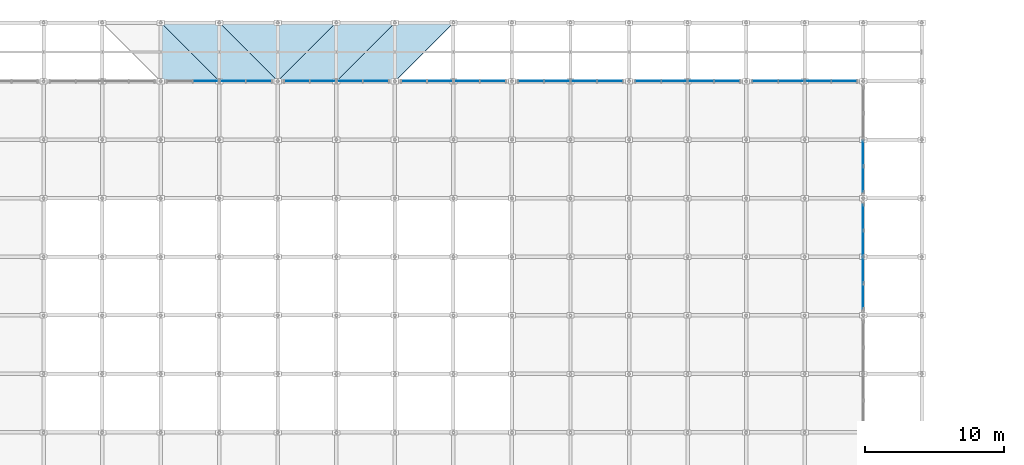
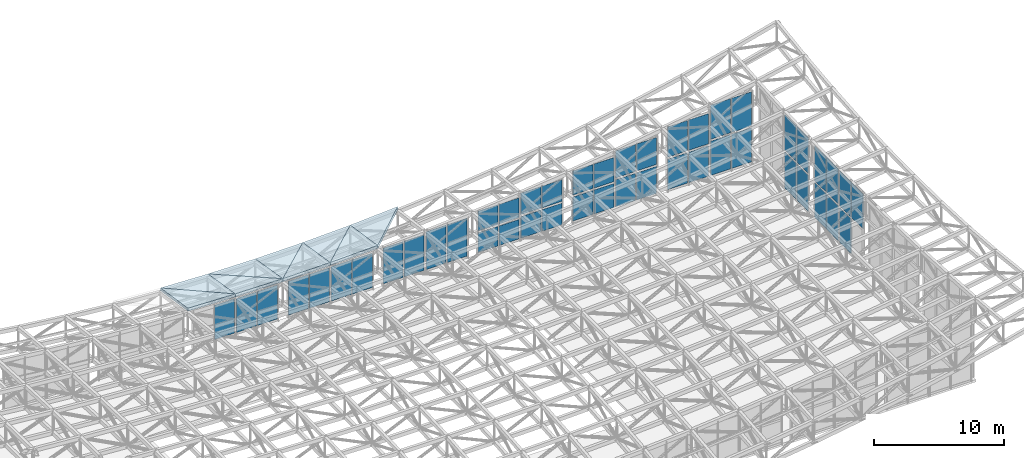
# One storey, part 69 of 111: 46 plates, 9 slabs, 15 elements without a shape of their own.
"""IFC4 building model written with IfcOpenShell, lengths in metres."""

from ifc_helpers import new_model, si_unit, direction, frame, origin, origin_2d, place, context, subcontext, project, spatial, polyline, rectangle, outline, extrude, material, layer, layer_set, type_object, element, aggregate, save


model = new_model("IFC4")

# Units and contexts
model_context = context("Model", 3, precision=1e-05, world=origin(), true_north=direction((0.0, 1.0)))
body_context = subcontext(model_context, "Body", "Model", "MODEL_VIEW")
ifc_project = project(units=[si_unit("LENGTHUNIT", "METRE"), si_unit("AREAUNIT", "SQUARE_METRE"), si_unit("VOLUMEUNIT", "CUBIC_METRE"), si_unit("PLANEANGLEUNIT", "RADIAN"), si_unit("MASSUNIT", "GRAM", prefix="KILO")], contexts=[model_context])

# Site, building, storey
site_placement = place(None, origin())
site = spatial("IfcSite", under=ifc_project, at=site_placement, CompositionType="ELEMENT")
building_placement = place(site_placement, origin())
building = spatial("IfcBuilding", under=site, at=building_placement, Name="Cumbredor Promenade Congress Hotel", CompositionType="ELEMENT")
storey_placement = place(building_placement, frame((0.0, 0.0, 15.1201171875)))
storey = spatial("IfcBuildingStorey", under=building, at=storey_placement, Name="L04", CompositionType="ELEMENT", Elevation=15.1201171875)

# Slabs
ifc_material_1 = material(Name="Concrete C40/50", Category="concrete")
ifc_layer_1 = layer(ifc_material_1, 0.25, Name="Concrete C40/50", Category="concrete")
ifc_layer_set_1 = layer_set([ifc_layer_1], Name="Concrete C40/50")
slab_type = type_object("IfcSlabType", Name="Catenary Space Frame Roof Deck 250mm", PredefinedType="ROOF", material=ifc_layer_set_1)
slab_1_placement = place(storey_placement, frame((126.0, 117.60009765625, 3.9326171875), z_axis=(0.029753049423, 0.150833026609, 0.988111407754), x_axis=(0.999546971061, 0.0, -0.03009738598)))
element("IfcSlab", 1, at=slab_1_placement, inside=storey, type_object=slab_type, Name="Pre-Function and Breakout Meeting Forum Sweeping Roof Deck Facet 10.10.1", PredefinedType="ROOF", context=body_context, shape_type="SweptSolid", body=[
    extrude(outline(polyline([(0.0, 0.0), (4.201854733666896, 0.0), (0.019295833882523407, 4.248557844295416), (0.0, 0.0)])), origin(), (0.0, 0.0, -1.0), 0.25),
])
slab_2_placement = place(storey_placement, frame((130.199951171875, 117.60009765625, 3.80615234375), z_axis=(0.037281756976, 0.158189362676, 0.986704715775), x_axis=(0.0, 0.987391156385, -0.158299413434)))
element("IfcSlab", 2, at=slab_2_placement, inside=storey, type_object=slab_type, Name="Pre-Function and Breakout Meeting Forum Sweeping Roof Deck Facet 10.10.2", PredefinedType="ROOF", context=body_context, shape_type="SweptSolid", body=[
    extrude(outline(polyline([(0.0, 0.0), (4.253583946663738, 0.0), (4.228463190137314, 4.2028730359295094), (0.0, 0.0)])), origin(), (0.0, 0.0, -1.0), 0.25),
])
slab_3_placement = place(storey_placement, frame((130.199951171875, 117.60009765625, 3.80615234375), z_axis=(0.009929096646, 0.158291610113, 0.987342483239), x_axis=(0.99994943839, 0.0, -0.010055877047)))
element("IfcSlab", 3, at=slab_3_placement, inside=storey, type_object=slab_type, Name="Pre-Function and Breakout Meeting Forum Sweeping Roof Deck Facet 11.10.1", PredefinedType="ROOF", context=body_context, shape_type="SweptSolid", body=[
    extrude(outline(polyline([(0.0, 0.0), (4.200163538905083, -1.734723475976807e-18), (0.006771022679672835, 4.253578557469855), (0.0, 0.0)])), origin(), (0.0, 0.0, -1.0), 0.25),
])
slab_4_placement = place(storey_placement, frame((134.39990234375, 117.60009765625, 3.763916015625), z_axis=(0.012449049297, 0.160747631938, 0.98691702792), x_axis=(0.0, 0.986993512432, -0.160760089626)))
element("IfcSlab", 4, at=slab_4_placement, inside=storey, type_object=slab_type, Name="Pre-Function and Breakout Meeting Forum Sweeping Roof Deck Facet 11.10.2", PredefinedType="ROOF", context=body_context, shape_type="SweptSolid", body=[
    extrude(outline(polyline([(0.0, 0.0), (4.255297647828329, -1.734723475976807e-18), (4.246780816908204, 4.200276661464468), (0.0, 0.0)])), origin(), (0.0, 0.0, -1.0), 0.25),
])
slab_5_placement = place(storey_placement, frame((134.39990234375, 117.60009765625, 3.763916015625), z_axis=(-0.009928519564, 0.15829161102, 0.987342488896), x_axis=(0.999949444267, 0.0, 0.010055292598)))
element("IfcSlab", 5, at=slab_5_placement, inside=storey, type_object=slab_type, Name="Pre-Function and Breakout Meeting Forum Sweeping Roof Deck Facet 12.10.1", PredefinedType="ROOF", context=body_context, shape_type="SweptSolid", body=[
    extrude(outline(polyline([(0.0, 0.0), (4.200407667186657, -8.673617379884035e-19), (4.19363703803977, 4.253578558096279), (0.0, 0.0)])), origin(), (0.0, 0.0, -1.0), 0.25),
])
slab_6_placement = place(storey_placement, frame((134.39990234375, 117.60009765625, 3.763916015625), z_axis=(-0.012448325796, 0.160747633386, 0.98691703681), x_axis=(0.703169413025, 0.703128540588, -0.105655250678)))
element("IfcSlab", 6, at=slab_6_placement, inside=storey, type_object=slab_type, Name="Pre-Function and Breakout Meeting Forum Sweeping Roof Deck Facet 12.10.2", PredefinedType="ROOF", context=body_context, shape_type="SweptSolid", body=[
    extrude(outline(polyline([(0.0, 0.0), (5.973233810651932, 1.249000902703301e-16), (3.025382396517911, 2.9924270127194172), (0.0, 0.0)])), origin(), (0.0, 0.0, -1.0), 0.25),
])
slab_7_placement = place(storey_placement, frame((138.60009765625, 117.60009765625, 3.80615234375), z_axis=(-0.029753049423, 0.150833026609, 0.988111407754), x_axis=(0.999546971061, 0.0, 0.03009738598)))
element("IfcSlab", 7, at=slab_7_placement, inside=storey, type_object=slab_type, Name="Pre-Function and Breakout Meeting Forum Sweeping Roof Deck Facet 13.10.1", PredefinedType="ROOF", context=body_context, shape_type="SweptSolid", body=[
    extrude(outline(polyline([(0.0, 0.0), (4.201854733666896, 0.0), (4.182558899784373, 4.248557844295416), (0.0, 0.0)])), origin(), (0.0, 0.0, -1.0), 0.25),
])
slab_8_placement = place(storey_placement, frame((138.60009765625, 117.60009765625, 3.80615234375), z_axis=(-0.037281756976, 0.158189362676, 0.986704715775), x_axis=(0.70446728628, 0.70446728628, -0.086323143607)))
element("IfcSlab", 8, at=slab_8_placement, inside=storey, type_object=slab_type, Name="Pre-Function and Breakout Meeting Forum Sweeping Roof Deck Facet 13.10.2", PredefinedType="ROOF", context=body_context, shape_type="SweptSolid", body=[
    extrude(outline(polyline([(0.0, 0.0), (5.961882480097168, 4.85722573273506e-16), (3.016853016588391, 2.9985953824444187), (0.0, 0.0)])), origin(), (0.0, 0.0, -1.0), 0.25),
])
slab_9_placement = place(storey_placement, frame((142.800048828125, 117.60009765625, 3.9326171875), z_axis=(-0.062113086697, 0.15060846322, 0.986640286663), x_axis=(0.705688897227, 0.705688897227, -0.063295818661)))
element("IfcSlab", 9, at=slab_9_placement, inside=storey, type_object=slab_type, Name="Pre-Function and Breakout Meeting Forum Sweeping Roof Deck Facet 14.10.2", PredefinedType="ROOF", context=body_context, shape_type="SweptSolid", body=[
    extrude(outline(polyline([(0.0, 0.0), (5.951561925341719, 2.42861286636753e-16), (3.0044387008804465, 3.0039913745184332), (0.0, 0.0)])), origin(), (0.0, 0.0, -1.0), 0.25),
])

# Curtain wall, plate
ifc_material_2 = material(Name="Thermally broken anodized aluminium and low-E glass", Category="aluminium")
curtain_wall_type = type_object("IfcCurtainWallType", Name="Stepped Pavilion Clerestory Curtain Wall CW-06", PredefinedType="NOTDEFINED", material=ifc_material_2)
curtain_wall_1_placement = place(storey_placement, origin())
curtain_wall_1 = element("IfcCurtainWall", 10, at=curtain_wall_1_placement, inside=storey, type_object=curtain_wall_type, Name="Pre-Function and Breakout Meeting Forum N Glazed Clerestory 9", PredefinedType="NOTDEFINED")
ifc_material_3 = material(Name="Laminated low-E solar-control glass", Category="glass")
ifc_layer_2 = layer(ifc_material_3, 0.031982421875, Name="Laminated low-E solar-control glass", Category="glass")
ifc_layer_set_2 = layer_set([ifc_layer_2], Name="Laminated low-E solar-control glass")
plate_type = type_object("IfcPlateType", Name="Clerestory Glazed Vision Panel PNL-07", PredefinedType="CURTAIN_PANEL", material=ifc_layer_set_2)
plate_1_placement = place(storey_placement, frame((129.22998046875, 117.60009765625, 0.169921875), z_axis=(0.0, 0.0, 1.0), x_axis=(1.0, 0.0, 0.0)))
plate_1 = element("IfcPlate", 11, at=plate_1_placement, type_object=plate_type, Name="Pre-Function and Breakout Meeting Forum N Glazed Clerestory 9 Glazing Panel 2.1", PredefinedType="CURTAIN_PANEL", context=body_context, shape_type="SweptSolid", body=[
    extrude(rectangle(XDim=1.77490234375, YDim=0.031982421875, at=origin_2d()), origin(), (0.0, 0.0, 1.0), 3.2099609375),
])
aggregate(curtain_wall_1, [plate_1])

# Curtain wall, plates
curtain_wall_2_placement = place(storey_placement, origin())
curtain_wall_2 = element("IfcCurtainWall", 12, at=curtain_wall_2_placement, inside=storey, type_object=curtain_wall_type, Name="Pre-Function and Breakout Meeting Forum N Glazed Clerestory 10", PredefinedType="NOTDEFINED")
plate_2_placement = place(storey_placement, frame((131.169921875, 117.60009765625, 0.169921875), z_axis=(0.0, 0.0, 1.0), x_axis=(1.0, 0.0, 0.0)))
plate_2 = element("IfcPlate", 13, at=plate_2_placement, type_object=plate_type, Name="Pre-Function and Breakout Meeting Forum N Glazed Clerestory 10 Glazing Panel 1.1", PredefinedType="CURTAIN_PANEL", context=body_context, shape_type="SweptSolid", body=[
    extrude(rectangle(XDim=1.77490234375, YDim=0.031982421875, at=origin_2d()), origin(), (0.0, 0.0, 1.0), 3.169921875),
])
plate_3_placement = place(storey_placement, frame((133.030029296875, 117.60009765625, 0.169921875), z_axis=(0.0, 0.0, 1.0), x_axis=(1.0, 0.0, 0.0)))
plate_3 = element("IfcPlate", 14, at=plate_3_placement, type_object=plate_type, Name="Pre-Function and Breakout Meeting Forum N Glazed Clerestory 10 Glazing Panel 2.1", PredefinedType="CURTAIN_PANEL", context=body_context, shape_type="SweptSolid", body=[
    extrude(rectangle(XDim=1.77490234375, YDim=0.031982421875, at=origin_2d()), origin(), (0.0, 0.0, 1.0), 3.169921875),
])
aggregate(curtain_wall_2, [plate_2, plate_3])

curtain_wall_3_placement = place(storey_placement, origin())
curtain_wall_3 = element("IfcCurtainWall", 15, at=curtain_wall_3_placement, inside=storey, type_object=curtain_wall_type, Name="Pre-Function and Breakout Meeting Forum N Glazed Clerestory 11", PredefinedType="NOTDEFINED")
plate_4_placement = place(storey_placement, frame((135.77001953125, 117.60009765625, 0.169921875), z_axis=(0.0, 0.0, 1.0), x_axis=(1.0, 0.0, 0.0)))
plate_4 = element("IfcPlate", 16, at=plate_4_placement, type_object=plate_type, Name="Pre-Function and Breakout Meeting Forum N Glazed Clerestory 11 Glazing Panel 1.1", PredefinedType="CURTAIN_PANEL", context=body_context, shape_type="SweptSolid", body=[
    extrude(rectangle(XDim=1.77490234375, YDim=0.031982421875, at=origin_2d()), origin(), (0.0, 0.0, 1.0), 3.169921875),
])
plate_5_placement = place(storey_placement, frame((137.6298828125, 117.60009765625, 0.169921875), z_axis=(0.0, 0.0, 1.0), x_axis=(1.0, 0.0, 0.0)))
plate_5 = element("IfcPlate", 17, at=plate_5_placement, type_object=plate_type, Name="Pre-Function and Breakout Meeting Forum N Glazed Clerestory 11 Glazing Panel 2.1", PredefinedType="CURTAIN_PANEL", context=body_context, shape_type="SweptSolid", body=[
    extrude(rectangle(XDim=1.77490234375, YDim=0.031982421875, at=origin_2d()), origin(), (0.0, 0.0, 1.0), 3.169921875),
])
aggregate(curtain_wall_3, [plate_4, plate_5])

curtain_wall_4_placement = place(storey_placement, origin())
curtain_wall_4 = element("IfcCurtainWall", 18, at=curtain_wall_4_placement, inside=storey, type_object=curtain_wall_type, Name="Pre-Function and Breakout Meeting Forum N Glazed Clerestory 12", PredefinedType="NOTDEFINED")
plate_6_placement = place(storey_placement, frame((139.570068359375, 117.60009765625, 0.169921875), z_axis=(0.0, 0.0, 1.0), x_axis=(1.0, 0.0, 0.0)))
plate_6 = element("IfcPlate", 19, at=plate_6_placement, type_object=plate_type, Name="Pre-Function and Breakout Meeting Forum N Glazed Clerestory 12 Glazing Panel 1.1", PredefinedType="CURTAIN_PANEL", context=body_context, shape_type="SweptSolid", body=[
    extrude(rectangle(XDim=1.77490234375, YDim=0.031982421875, at=origin_2d()), origin(), (0.0, 0.0, 1.0), 3.2099609375),
])
plate_7_placement = place(storey_placement, frame((141.429931640625, 117.60009765625, 0.169921875), z_axis=(0.0, 0.0, 1.0), x_axis=(1.0, 0.0, 0.0)))
plate_7 = element("IfcPlate", 20, at=plate_7_placement, type_object=plate_type, Name="Pre-Function and Breakout Meeting Forum N Glazed Clerestory 12 Glazing Panel 2.1", PredefinedType="CURTAIN_PANEL", context=body_context, shape_type="SweptSolid", body=[
    extrude(rectangle(XDim=1.77490234375, YDim=0.031982421875, at=origin_2d()), origin(), (0.0, 0.0, 1.0), 3.2099609375),
])
aggregate(curtain_wall_4, [plate_6, plate_7])

curtain_wall_5_placement = place(storey_placement, origin())
curtain_wall_5 = element("IfcCurtainWall", 21, at=curtain_wall_5_placement, inside=storey, type_object=curtain_wall_type, Name="Pre-Function and Breakout Meeting Forum N Glazed Clerestory 13", PredefinedType="NOTDEFINED")
plate_8_placement = place(storey_placement, frame((144.169921875, 117.60009765625, 0.169921875), z_axis=(0.0, 0.0, 1.0), x_axis=(1.0, 0.0, 0.0)))
plate_8 = element("IfcPlate", 22, at=plate_8_placement, type_object=plate_type, Name="Pre-Function and Breakout Meeting Forum N Glazed Clerestory 13 Glazing Panel 1.1", PredefinedType="CURTAIN_PANEL", context=body_context, shape_type="SweptSolid", body=[
    extrude(rectangle(XDim=1.77490234375, YDim=0.031982421875, at=origin_2d()), origin(), (0.0, 0.0, 1.0), 3.340087890625),
])
plate_9_placement = place(storey_placement, frame((146.030029296875, 117.60009765625, 0.169921875), z_axis=(0.0, 0.0, 1.0), x_axis=(1.0, 0.0, 0.0)))
plate_9 = element("IfcPlate", 23, at=plate_9_placement, type_object=plate_type, Name="Pre-Function and Breakout Meeting Forum N Glazed Clerestory 13 Glazing Panel 2.1", PredefinedType="CURTAIN_PANEL", context=body_context, shape_type="SweptSolid", body=[
    extrude(rectangle(XDim=1.77490234375, YDim=0.031982421875, at=origin_2d()), origin(), (0.0, 0.0, 1.0), 3.340087890625),
])
aggregate(curtain_wall_5, [plate_8, plate_9])

curtain_wall_6_placement = place(storey_placement, origin())
curtain_wall_6 = element("IfcCurtainWall", 24, at=curtain_wall_6_placement, inside=storey, type_object=curtain_wall_type, Name="Pre-Function and Breakout Meeting Forum N Glazed Clerestory 14", PredefinedType="NOTDEFINED")
plate_10_placement = place(storey_placement, frame((147.969970703125, 117.60009765625, 0.169921875), z_axis=(0.0, 0.0, 1.0), x_axis=(1.0, 0.0, 0.0)))
plate_10 = element("IfcPlate", 25, at=plate_10_placement, type_object=plate_type, Name="Pre-Function and Breakout Meeting Forum N Glazed Clerestory 14 Glazing Panel 1.1", PredefinedType="CURTAIN_PANEL", context=body_context, shape_type="SweptSolid", body=[
    extrude(rectangle(XDim=1.77490234375, YDim=0.031982421875, at=origin_2d()), origin(), (0.0, 0.0, 1.0), 3.550048828125),
])
plate_11_placement = place(storey_placement, frame((149.830078125, 117.60009765625, 0.169921875), z_axis=(0.0, 0.0, 1.0), x_axis=(1.0, 0.0, 0.0)))
plate_11 = element("IfcPlate", 26, at=plate_11_placement, type_object=plate_type, Name="Pre-Function and Breakout Meeting Forum N Glazed Clerestory 14 Glazing Panel 2.1", PredefinedType="CURTAIN_PANEL", context=body_context, shape_type="SweptSolid", body=[
    extrude(rectangle(XDim=1.77490234375, YDim=0.031982421875, at=origin_2d()), origin(), (0.0, 0.0, 1.0), 3.550048828125),
])
aggregate(curtain_wall_6, [plate_10, plate_11])

curtain_wall_7_placement = place(storey_placement, origin())
curtain_wall_7 = element("IfcCurtainWall", 27, at=curtain_wall_7_placement, inside=storey, type_object=curtain_wall_type, Name="Pre-Function and Breakout Meeting Forum N Glazed Clerestory 15", PredefinedType="NOTDEFINED")
plate_12_placement = place(storey_placement, frame((152.570068359375, 117.60009765625, 0.169921875), z_axis=(0.0, 0.0, 1.0), x_axis=(1.0, 0.0, 0.0)))
plate_12 = element("IfcPlate", 28, at=plate_12_placement, type_object=plate_type, Name="Pre-Function and Breakout Meeting Forum N Glazed Clerestory 15 Glazing Panel 1.1", PredefinedType="CURTAIN_PANEL", context=body_context, shape_type="SweptSolid", body=[
    extrude(rectangle(XDim=1.77490234375, YDim=0.031982421875, at=origin_2d()), origin(), (0.0, 0.0, 1.0), 1.830078125),
])
plate_13_placement = place(storey_placement, frame((152.570068359375, 117.60009765625, 2.1796875), z_axis=(0.0, 0.0, 1.0), x_axis=(1.0, 0.0, 0.0)))
plate_13 = element("IfcPlate", 29, at=plate_13_placement, type_object=plate_type, Name="Pre-Function and Breakout Meeting Forum N Glazed Clerestory 15 Glazing Panel 1.2", PredefinedType="CURTAIN_PANEL", context=body_context, shape_type="SweptSolid", body=[
    extrude(rectangle(XDim=1.77490234375, YDim=0.031982421875, at=origin_2d()), origin(), (0.0, 0.0, 1.0), 1.840087890625),
])
plate_14_placement = place(storey_placement, frame((154.429931640625, 117.60009765625, 0.169921875), z_axis=(0.0, 0.0, 1.0), x_axis=(1.0, 0.0, 0.0)))
plate_14 = element("IfcPlate", 30, at=plate_14_placement, type_object=plate_type, Name="Pre-Function and Breakout Meeting Forum N Glazed Clerestory 15 Glazing Panel 2.1", PredefinedType="CURTAIN_PANEL", context=body_context, shape_type="SweptSolid", body=[
    extrude(rectangle(XDim=1.77490234375, YDim=0.031982421875, at=origin_2d()), origin(), (0.0, 0.0, 1.0), 1.830078125),
])
plate_15_placement = place(storey_placement, frame((154.429931640625, 117.60009765625, 2.1796875), z_axis=(0.0, 0.0, 1.0), x_axis=(1.0, 0.0, 0.0)))
plate_15 = element("IfcPlate", 31, at=plate_15_placement, type_object=plate_type, Name="Pre-Function and Breakout Meeting Forum N Glazed Clerestory 15 Glazing Panel 2.2", PredefinedType="CURTAIN_PANEL", context=body_context, shape_type="SweptSolid", body=[
    extrude(rectangle(XDim=1.77490234375, YDim=0.031982421875, at=origin_2d()), origin(), (0.0, 0.0, 1.0), 1.840087890625),
])
aggregate(curtain_wall_7, [plate_12, plate_13, plate_14, plate_15])

curtain_wall_8_placement = place(storey_placement, origin())
curtain_wall_8 = element("IfcCurtainWall", 32, at=curtain_wall_8_placement, inside=storey, type_object=curtain_wall_type, Name="Pre-Function and Breakout Meeting Forum N Glazed Clerestory 16", PredefinedType="NOTDEFINED")
plate_16_placement = place(storey_placement, frame((156.3701171875, 117.60009765625, 0.169921875), z_axis=(0.0, 0.0, 1.0), x_axis=(1.0, 0.0, 0.0)))
plate_16 = element("IfcPlate", 33, at=plate_16_placement, type_object=plate_type, Name="Pre-Function and Breakout Meeting Forum N Glazed Clerestory 16 Glazing Panel 1.1", PredefinedType="CURTAIN_PANEL", context=body_context, shape_type="SweptSolid", body=[
    extrude(rectangle(XDim=1.77490234375, YDim=0.031982421875, at=origin_2d()), origin(), (0.0, 0.0, 1.0), 2.02001953125),
])
plate_17_placement = place(storey_placement, frame((156.3701171875, 117.60009765625, 2.369873046875), z_axis=(0.0, 0.0, 1.0), x_axis=(1.0, 0.0, 0.0)))
plate_17 = element("IfcPlate", 34, at=plate_17_placement, type_object=plate_type, Name="Pre-Function and Breakout Meeting Forum N Glazed Clerestory 16 Glazing Panel 1.2", PredefinedType="CURTAIN_PANEL", context=body_context, shape_type="SweptSolid", body=[
    extrude(rectangle(XDim=1.77490234375, YDim=0.031982421875, at=origin_2d()), origin(), (0.0, 0.0, 1.0), 2.02001953125),
])
plate_18_placement = place(storey_placement, frame((158.22998046875, 117.60009765625, 0.169921875), z_axis=(0.0, 0.0, 1.0), x_axis=(1.0, 0.0, 0.0)))
plate_18 = element("IfcPlate", 35, at=plate_18_placement, type_object=plate_type, Name="Pre-Function and Breakout Meeting Forum N Glazed Clerestory 16 Glazing Panel 2.1", PredefinedType="CURTAIN_PANEL", context=body_context, shape_type="SweptSolid", body=[
    extrude(rectangle(XDim=1.77490234375, YDim=0.031982421875, at=origin_2d()), origin(), (0.0, 0.0, 1.0), 2.02001953125),
])
plate_19_placement = place(storey_placement, frame((158.22998046875, 117.60009765625, 2.369873046875), z_axis=(0.0, 0.0, 1.0), x_axis=(1.0, 0.0, 0.0)))
plate_19 = element("IfcPlate", 36, at=plate_19_placement, type_object=plate_type, Name="Pre-Function and Breakout Meeting Forum N Glazed Clerestory 16 Glazing Panel 2.2", PredefinedType="CURTAIN_PANEL", context=body_context, shape_type="SweptSolid", body=[
    extrude(rectangle(XDim=1.77490234375, YDim=0.031982421875, at=origin_2d()), origin(), (0.0, 0.0, 1.0), 2.02001953125),
])
aggregate(curtain_wall_8, [plate_16, plate_17, plate_18, plate_19])

curtain_wall_9_placement = place(storey_placement, origin())
curtain_wall_9 = element("IfcCurtainWall", 37, at=curtain_wall_9_placement, inside=storey, type_object=curtain_wall_type, Name="Pre-Function and Breakout Meeting Forum N Glazed Clerestory 17", PredefinedType="NOTDEFINED")
plate_20_placement = place(storey_placement, frame((160.969970703125, 117.60009765625, 0.169921875), z_axis=(0.0, 0.0, 1.0), x_axis=(1.0, 0.0, 0.0)))
plate_20 = element("IfcPlate", 38, at=plate_20_placement, type_object=plate_type, Name="Pre-Function and Breakout Meeting Forum N Glazed Clerestory 17 Glazing Panel 1.1", PredefinedType="CURTAIN_PANEL", context=body_context, shape_type="SweptSolid", body=[
    extrude(rectangle(XDim=1.77490234375, YDim=0.031982421875, at=origin_2d()), origin(), (0.0, 0.0, 1.0), 2.25),
])
plate_21_placement = place(storey_placement, frame((160.969970703125, 117.60009765625, 2.60009765625), z_axis=(0.0, 0.0, 1.0), x_axis=(1.0, 0.0, 0.0)))
plate_21 = element("IfcPlate", 39, at=plate_21_placement, type_object=plate_type, Name="Pre-Function and Breakout Meeting Forum N Glazed Clerestory 17 Glazing Panel 1.2", PredefinedType="CURTAIN_PANEL", context=body_context, shape_type="SweptSolid", body=[
    extrude(rectangle(XDim=1.77490234375, YDim=0.031982421875, at=origin_2d()), origin(), (0.0, 0.0, 1.0), 2.260009765625),
])
plate_22_placement = place(storey_placement, frame((162.830078125, 117.60009765625, 0.169921875), z_axis=(0.0, 0.0, 1.0), x_axis=(1.0, 0.0, 0.0)))
plate_22 = element("IfcPlate", 40, at=plate_22_placement, type_object=plate_type, Name="Pre-Function and Breakout Meeting Forum N Glazed Clerestory 17 Glazing Panel 2.1", PredefinedType="CURTAIN_PANEL", context=body_context, shape_type="SweptSolid", body=[
    extrude(rectangle(XDim=1.77490234375, YDim=0.031982421875, at=origin_2d()), origin(), (0.0, 0.0, 1.0), 2.25),
])
plate_23_placement = place(storey_placement, frame((162.830078125, 117.60009765625, 2.60009765625), z_axis=(0.0, 0.0, 1.0), x_axis=(1.0, 0.0, 0.0)))
plate_23 = element("IfcPlate", 41, at=plate_23_placement, type_object=plate_type, Name="Pre-Function and Breakout Meeting Forum N Glazed Clerestory 17 Glazing Panel 2.2", PredefinedType="CURTAIN_PANEL", context=body_context, shape_type="SweptSolid", body=[
    extrude(rectangle(XDim=1.77490234375, YDim=0.031982421875, at=origin_2d()), origin(), (0.0, 0.0, 1.0), 2.260009765625),
])
aggregate(curtain_wall_9, [plate_20, plate_21, plate_22, plate_23])

curtain_wall_10_placement = place(storey_placement, origin())
curtain_wall_10 = element("IfcCurtainWall", 42, at=curtain_wall_10_placement, inside=storey, type_object=curtain_wall_type, Name="Pre-Function and Breakout Meeting Forum N Glazed Clerestory 18", PredefinedType="NOTDEFINED")
plate_24_placement = place(storey_placement, frame((164.77001953125, 117.60009765625, 0.169921875), z_axis=(0.0, 0.0, 1.0), x_axis=(1.0, 0.0, 0.0)))
plate_24 = element("IfcPlate", 43, at=plate_24_placement, type_object=plate_type, Name="Pre-Function and Breakout Meeting Forum N Glazed Clerestory 18 Glazing Panel 1.1", PredefinedType="CURTAIN_PANEL", context=body_context, shape_type="SweptSolid", body=[
    extrude(rectangle(XDim=1.77490234375, YDim=0.031982421875, at=origin_2d()), origin(), (0.0, 0.0, 1.0), 2.530029296875),
])
plate_25_placement = place(storey_placement, frame((164.77001953125, 117.60009765625, 2.8798828125), z_axis=(0.0, 0.0, 1.0), x_axis=(1.0, 0.0, 0.0)))
plate_25 = element("IfcPlate", 44, at=plate_25_placement, type_object=plate_type, Name="Pre-Function and Breakout Meeting Forum N Glazed Clerestory 18 Glazing Panel 1.2", PredefinedType="CURTAIN_PANEL", context=body_context, shape_type="SweptSolid", body=[
    extrude(rectangle(XDim=1.77490234375, YDim=0.031982421875, at=origin_2d()), origin(), (0.0, 0.0, 1.0), 2.530029296875),
])
plate_26_placement = place(storey_placement, frame((166.6298828125, 117.60009765625, 0.169921875), z_axis=(0.0, 0.0, 1.0), x_axis=(1.0, 0.0, 0.0)))
plate_26 = element("IfcPlate", 45, at=plate_26_placement, type_object=plate_type, Name="Pre-Function and Breakout Meeting Forum N Glazed Clerestory 18 Glazing Panel 2.1", PredefinedType="CURTAIN_PANEL", context=body_context, shape_type="SweptSolid", body=[
    extrude(rectangle(XDim=1.77490234375, YDim=0.031982421875, at=origin_2d()), origin(), (0.0, 0.0, 1.0), 2.530029296875),
])
plate_27_placement = place(storey_placement, frame((166.6298828125, 117.60009765625, 2.8798828125), z_axis=(0.0, 0.0, 1.0), x_axis=(1.0, 0.0, 0.0)))
plate_27 = element("IfcPlate", 46, at=plate_27_placement, type_object=plate_type, Name="Pre-Function and Breakout Meeting Forum N Glazed Clerestory 18 Glazing Panel 2.2", PredefinedType="CURTAIN_PANEL", context=body_context, shape_type="SweptSolid", body=[
    extrude(rectangle(XDim=1.77490234375, YDim=0.031982421875, at=origin_2d()), origin(), (0.0, 0.0, 1.0), 2.530029296875),
])
aggregate(curtain_wall_10, [plate_24, plate_25, plate_26, plate_27])

curtain_wall_11_placement = place(storey_placement, origin())
curtain_wall_11 = element("IfcCurtainWall", 47, at=curtain_wall_11_placement, inside=storey, type_object=curtain_wall_type, Name="Pre-Function and Breakout Meeting Forum N Glazed Clerestory 19", PredefinedType="NOTDEFINED")
plate_28_placement = place(storey_placement, frame((169.3701171875, 117.60009765625, 0.169921875), z_axis=(0.0, 0.0, 1.0), x_axis=(1.0, 0.0, 0.0)))
plate_28 = element("IfcPlate", 48, at=plate_28_placement, type_object=plate_type, Name="Pre-Function and Breakout Meeting Forum N Glazed Clerestory 19 Glazing Panel 1.1", PredefinedType="CURTAIN_PANEL", context=body_context, shape_type="SweptSolid", body=[
    extrude(rectangle(XDim=1.77490234375, YDim=0.031982421875, at=origin_2d()), origin(), (0.0, 0.0, 1.0), 2.85009765625),
])
plate_29_placement = place(storey_placement, frame((169.3701171875, 117.60009765625, 3.19970703125), z_axis=(0.0, 0.0, 1.0), x_axis=(1.0, 0.0, 0.0)))
plate_29 = element("IfcPlate", 49, at=plate_29_placement, type_object=plate_type, Name="Pre-Function and Breakout Meeting Forum N Glazed Clerestory 19 Glazing Panel 1.2", PredefinedType="CURTAIN_PANEL", context=body_context, shape_type="SweptSolid", body=[
    extrude(rectangle(XDim=1.77490234375, YDim=0.031982421875, at=origin_2d()), origin(), (0.0, 0.0, 1.0), 2.840087890625),
])
plate_30_placement = place(storey_placement, frame((171.22998046875, 117.60009765625, 0.169921875), z_axis=(0.0, 0.0, 1.0), x_axis=(1.0, 0.0, 0.0)))
plate_30 = element("IfcPlate", 50, at=plate_30_placement, type_object=plate_type, Name="Pre-Function and Breakout Meeting Forum N Glazed Clerestory 19 Glazing Panel 2.1", PredefinedType="CURTAIN_PANEL", context=body_context, shape_type="SweptSolid", body=[
    extrude(rectangle(XDim=1.77490234375, YDim=0.031982421875, at=origin_2d()), origin(), (0.0, 0.0, 1.0), 2.85009765625),
])
plate_31_placement = place(storey_placement, frame((171.22998046875, 117.60009765625, 3.19970703125), z_axis=(0.0, 0.0, 1.0), x_axis=(1.0, 0.0, 0.0)))
plate_31 = element("IfcPlate", 51, at=plate_31_placement, type_object=plate_type, Name="Pre-Function and Breakout Meeting Forum N Glazed Clerestory 19 Glazing Panel 2.2", PredefinedType="CURTAIN_PANEL", context=body_context, shape_type="SweptSolid", body=[
    extrude(rectangle(XDim=1.77490234375, YDim=0.031982421875, at=origin_2d()), origin(), (0.0, 0.0, 1.0), 2.840087890625),
])
aggregate(curtain_wall_11, [plate_28, plate_29, plate_30, plate_31])

curtain_wall_12_placement = place(storey_placement, origin())
curtain_wall_12 = element("IfcCurtainWall", 52, at=curtain_wall_12_placement, inside=storey, type_object=curtain_wall_type, Name="Pre-Function and Breakout Meeting Forum N Glazed Clerestory 20", PredefinedType="NOTDEFINED")
plate_32_placement = place(storey_placement, frame((173.169921875, 117.60009765625, 0.169921875), z_axis=(0.0, 0.0, 1.0), x_axis=(1.0, 0.0, 0.0)))
plate_32 = element("IfcPlate", 53, at=plate_32_placement, type_object=plate_type, Name="Pre-Function and Breakout Meeting Forum N Glazed Clerestory 20 Glazing Panel 1.1", PredefinedType="CURTAIN_PANEL", context=body_context, shape_type="SweptSolid", body=[
    extrude(rectangle(XDim=1.77490234375, YDim=0.031982421875, at=origin_2d()), origin(), (0.0, 0.0, 1.0), 3.199951171875),
])
plate_33_placement = place(storey_placement, frame((173.169921875, 117.60009765625, 3.5498046875), z_axis=(0.0, 0.0, 1.0), x_axis=(1.0, 0.0, 0.0)))
plate_33 = element("IfcPlate", 54, at=plate_33_placement, type_object=plate_type, Name="Pre-Function and Breakout Meeting Forum N Glazed Clerestory 20 Glazing Panel 1.2", PredefinedType="CURTAIN_PANEL", context=body_context, shape_type="SweptSolid", body=[
    extrude(rectangle(XDim=1.77490234375, YDim=0.031982421875, at=origin_2d()), origin(), (0.0, 0.0, 1.0), 3.199951171875),
])
plate_34_placement = place(storey_placement, frame((175.030029296875, 117.60009765625, 0.169921875), z_axis=(0.0, 0.0, 1.0), x_axis=(1.0, 0.0, 0.0)))
plate_34 = element("IfcPlate", 55, at=plate_34_placement, type_object=plate_type, Name="Pre-Function and Breakout Meeting Forum N Glazed Clerestory 20 Glazing Panel 2.1", PredefinedType="CURTAIN_PANEL", context=body_context, shape_type="SweptSolid", body=[
    extrude(rectangle(XDim=1.77490234375, YDim=0.031982421875, at=origin_2d()), origin(), (0.0, 0.0, 1.0), 3.199951171875),
])
plate_35_placement = place(storey_placement, frame((175.030029296875, 117.60009765625, 3.5498046875), z_axis=(0.0, 0.0, 1.0), x_axis=(1.0, 0.0, 0.0)))
plate_35 = element("IfcPlate", 56, at=plate_35_placement, type_object=plate_type, Name="Pre-Function and Breakout Meeting Forum N Glazed Clerestory 20 Glazing Panel 2.2", PredefinedType="CURTAIN_PANEL", context=body_context, shape_type="SweptSolid", body=[
    extrude(rectangle(XDim=1.77490234375, YDim=0.031982421875, at=origin_2d()), origin(), (0.0, 0.0, 1.0), 3.199951171875),
])
aggregate(curtain_wall_12, [plate_32, plate_33, plate_34, plate_35])

curtain_wall_13_placement = place(storey_placement, origin())
curtain_wall_13 = element("IfcCurtainWall", 57, at=curtain_wall_13_placement, inside=storey, type_object=curtain_wall_type, Name="Pre-Function and Breakout Meeting Forum E Glazed Clerestory 5", PredefinedType="NOTDEFINED")
plate_36_placement = place(storey_placement, frame((176.39990234375, 102.169921875, 3.60986328125), z_axis=(0.0, 0.0, 1.0), x_axis=(0.0, 1.0, 0.0)))
plate_36 = element("IfcPlate", 58, at=plate_36_placement, type_object=plate_type, Name="Pre-Function and Breakout Meeting Forum E Glazed Clerestory 5 Glazing Panel 1.2", PredefinedType="CURTAIN_PANEL", context=body_context, shape_type="SweptSolid", body=[
    extrude(rectangle(XDim=1.77490234375, YDim=0.031982421875, at=origin_2d()), origin(), (0.0, 0.0, 1.0), 3.260009765625),
])
plate_37_placement = place(storey_placement, frame((176.39990234375, 104.030029296875, 0.169921875), z_axis=(0.0, 0.0, 1.0), x_axis=(0.0, 1.0, 0.0)))
plate_37 = element("IfcPlate", 59, at=plate_37_placement, type_object=plate_type, Name="Pre-Function and Breakout Meeting Forum E Glazed Clerestory 5 Glazing Panel 2.1", PredefinedType="CURTAIN_PANEL", context=body_context, shape_type="SweptSolid", body=[
    extrude(rectangle(XDim=1.77490234375, YDim=0.031982421875, at=origin_2d()), origin(), (0.0, 0.0, 1.0), 3.260009765625),
])
plate_38_placement = place(storey_placement, frame((176.39990234375, 104.030029296875, 3.60986328125), z_axis=(0.0, 0.0, 1.0), x_axis=(0.0, 1.0, 0.0)))
plate_38 = element("IfcPlate", 60, at=plate_38_placement, type_object=plate_type, Name="Pre-Function and Breakout Meeting Forum E Glazed Clerestory 5 Glazing Panel 2.2", PredefinedType="CURTAIN_PANEL", context=body_context, shape_type="SweptSolid", body=[
    extrude(rectangle(XDim=1.77490234375, YDim=0.031982421875, at=origin_2d()), origin(), (0.0, 0.0, 1.0), 3.260009765625),
])
aggregate(curtain_wall_13, [plate_36, plate_37, plate_38])

curtain_wall_14_placement = place(storey_placement, origin())
curtain_wall_14 = element("IfcCurtainWall", 61, at=curtain_wall_14_placement, inside=storey, type_object=curtain_wall_type, Name="Pre-Function and Breakout Meeting Forum E Glazed Clerestory 6", PredefinedType="NOTDEFINED")
plate_39_placement = place(storey_placement, frame((176.39990234375, 105.969970703125, 0.169921875), z_axis=(0.0, 0.0, 1.0), x_axis=(0.0, 1.0, 0.0)))
plate_39 = element("IfcPlate", 62, at=plate_39_placement, type_object=plate_type, Name="Pre-Function and Breakout Meeting Forum E Glazed Clerestory 6 Glazing Panel 1.1", PredefinedType="CURTAIN_PANEL", context=body_context, shape_type="SweptSolid", body=[
    extrude(rectangle(XDim=1.77490234375, YDim=0.031982421875, at=origin_2d()), origin(), (0.0, 0.0, 1.0), 3.280029296875),
])
plate_40_placement = place(storey_placement, frame((176.39990234375, 105.969970703125, 3.6298828125), z_axis=(0.0, 0.0, 1.0), x_axis=(0.0, 1.0, 0.0)))
plate_40 = element("IfcPlate", 63, at=plate_40_placement, type_object=plate_type, Name="Pre-Function and Breakout Meeting Forum E Glazed Clerestory 6 Glazing Panel 1.2", PredefinedType="CURTAIN_PANEL", context=body_context, shape_type="SweptSolid", body=[
    extrude(rectangle(XDim=1.77490234375, YDim=0.031982421875, at=origin_2d()), origin(), (0.0, 0.0, 1.0), 3.280029296875),
])
plate_41_placement = place(storey_placement, frame((176.39990234375, 107.830078125, 0.169921875), z_axis=(0.0, 0.0, 1.0), x_axis=(0.0, 1.0, 0.0)))
plate_41 = element("IfcPlate", 64, at=plate_41_placement, type_object=plate_type, Name="Pre-Function and Breakout Meeting Forum E Glazed Clerestory 6 Glazing Panel 2.1", PredefinedType="CURTAIN_PANEL", context=body_context, shape_type="SweptSolid", body=[
    extrude(rectangle(XDim=1.77490234375, YDim=0.031982421875, at=origin_2d()), origin(), (0.0, 0.0, 1.0), 3.280029296875),
])
plate_42_placement = place(storey_placement, frame((176.39990234375, 107.830078125, 3.6298828125), z_axis=(0.0, 0.0, 1.0), x_axis=(0.0, 1.0, 0.0)))
plate_42 = element("IfcPlate", 65, at=plate_42_placement, type_object=plate_type, Name="Pre-Function and Breakout Meeting Forum E Glazed Clerestory 6 Glazing Panel 2.2", PredefinedType="CURTAIN_PANEL", context=body_context, shape_type="SweptSolid", body=[
    extrude(rectangle(XDim=1.77490234375, YDim=0.031982421875, at=origin_2d()), origin(), (0.0, 0.0, 1.0), 3.280029296875),
])
aggregate(curtain_wall_14, [plate_39, plate_40, plate_41, plate_42])

curtain_wall_15_placement = place(storey_placement, origin())
curtain_wall_15 = element("IfcCurtainWall", 66, at=curtain_wall_15_placement, inside=storey, type_object=curtain_wall_type, Name="Pre-Function and Breakout Meeting Forum E Glazed Clerestory 7", PredefinedType="NOTDEFINED")
plate_43_placement = place(storey_placement, frame((176.39990234375, 110.570068359375, 0.169921875), z_axis=(0.0, 0.0, 1.0), x_axis=(0.0, 1.0, 0.0)))
plate_43 = element("IfcPlate", 67, at=plate_43_placement, type_object=plate_type, Name="Pre-Function and Breakout Meeting Forum E Glazed Clerestory 7 Glazing Panel 1.1", PredefinedType="CURTAIN_PANEL", context=body_context, shape_type="SweptSolid", body=[
    extrude(rectangle(XDim=1.77490234375, YDim=0.031982421875, at=origin_2d()), origin(), (0.0, 0.0, 1.0), 3.35009765625),
])
plate_44_placement = place(storey_placement, frame((176.39990234375, 110.570068359375, 3.69970703125), z_axis=(0.0, 0.0, 1.0), x_axis=(0.0, 1.0, 0.0)))
plate_44 = element("IfcPlate", 68, at=plate_44_placement, type_object=plate_type, Name="Pre-Function and Breakout Meeting Forum E Glazed Clerestory 7 Glazing Panel 1.2", PredefinedType="CURTAIN_PANEL", context=body_context, shape_type="SweptSolid", body=[
    extrude(rectangle(XDim=1.77490234375, YDim=0.031982421875, at=origin_2d()), origin(), (0.0, 0.0, 1.0), 3.340087890625),
])
plate_45_placement = place(storey_placement, frame((176.39990234375, 112.429931640625, 0.169921875), z_axis=(0.0, 0.0, 1.0), x_axis=(0.0, 1.0, 0.0)))
plate_45 = element("IfcPlate", 69, at=plate_45_placement, type_object=plate_type, Name="Pre-Function and Breakout Meeting Forum E Glazed Clerestory 7 Glazing Panel 2.1", PredefinedType="CURTAIN_PANEL", context=body_context, shape_type="SweptSolid", body=[
    extrude(rectangle(XDim=1.77490234375, YDim=0.031982421875, at=origin_2d()), origin(), (0.0, 0.0, 1.0), 3.35009765625),
])
plate_46_placement = place(storey_placement, frame((176.39990234375, 112.429931640625, 3.69970703125), z_axis=(0.0, 0.0, 1.0), x_axis=(0.0, 1.0, 0.0)))
plate_46 = element("IfcPlate", 70, at=plate_46_placement, type_object=plate_type, Name="Pre-Function and Breakout Meeting Forum E Glazed Clerestory 7 Glazing Panel 2.2", PredefinedType="CURTAIN_PANEL", context=body_context, shape_type="SweptSolid", body=[
    extrude(rectangle(XDim=1.77490234375, YDim=0.031982421875, at=origin_2d()), origin(), (0.0, 0.0, 1.0), 3.340087890625),
])
aggregate(curtain_wall_15, [plate_43, plate_44, plate_45, plate_46])

save(model, "model.ifc")
